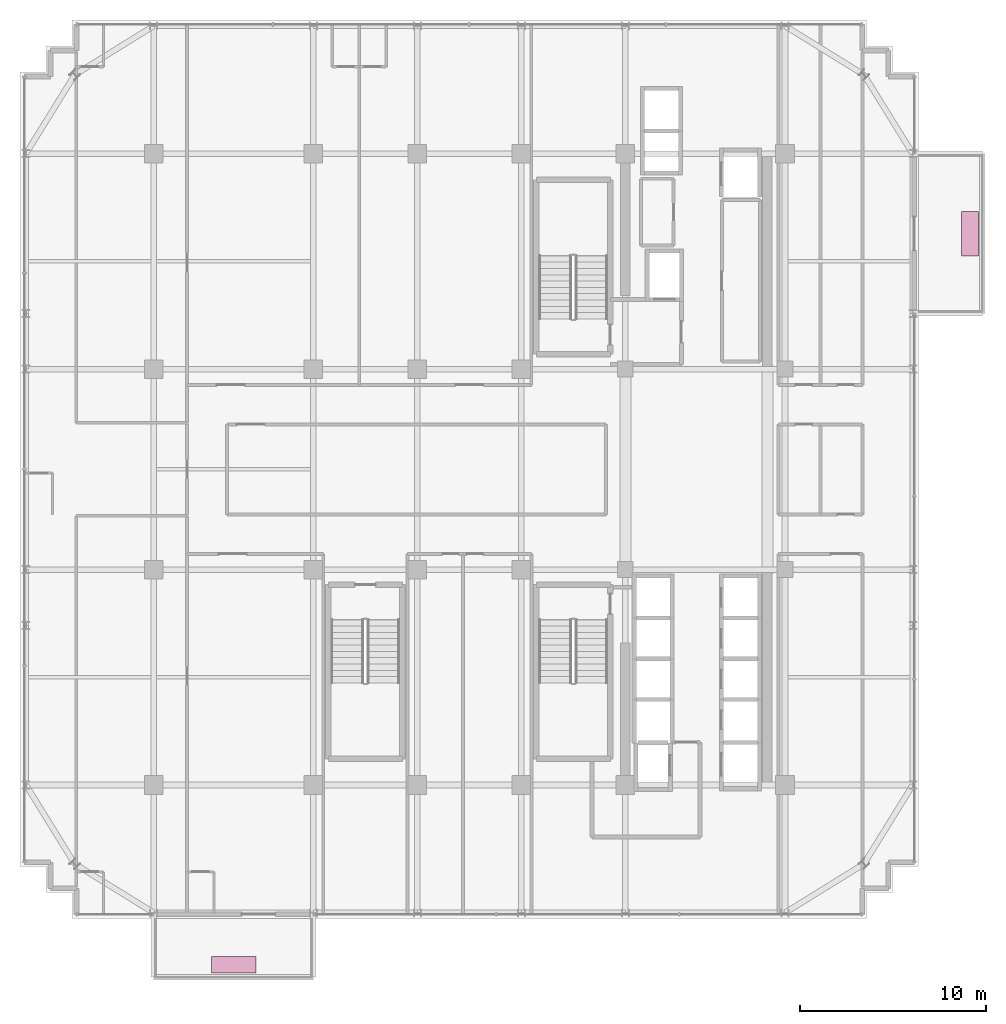
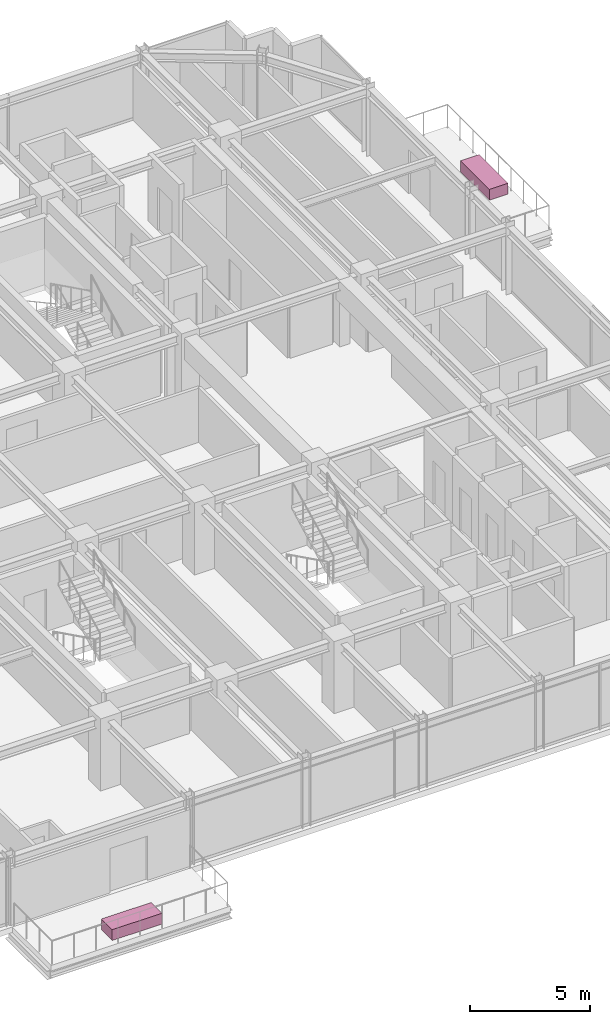
# One storey, part 34 of 34: 2 furnishings.
"""IFC4 building model written with IfcOpenShell, lengths in metres."""

from ifc_helpers import new_model, si_unit, direction, frame, origin, origin_2d, place, context, subcontext, project, spatial, rectangle, extrude, source, transform, mapped, material, type_object, element, save


model = new_model("IFC4")

# Units and contexts
model_context = context("Model", 3, precision=1e-05, world=origin(), true_north=direction((0.0, 1.0)))
body_context = subcontext(model_context, "Body", "Model", "MODEL_VIEW")
ifc_project = project(units=[si_unit("LENGTHUNIT", "METRE"), si_unit("AREAUNIT", "SQUARE_METRE"), si_unit("VOLUMEUNIT", "CUBIC_METRE"), si_unit("PLANEANGLEUNIT", "RADIAN"), si_unit("MASSUNIT", "GRAM", prefix="KILO")], contexts=[model_context])

# Site, building, storey
site_placement = place(None, origin())
site = spatial("IfcSite", under=ifc_project, at=site_placement, CompositionType="ELEMENT")
building_placement = place(site_placement, origin())
building = spatial("IfcBuilding", under=site, at=building_placement, Name="Nahalor Promenade Grand Hotel", CompositionType="ELEMENT")
storey_placement = place(building_placement, frame((0.0, 0.0, 238.199951171875)))
storey = spatial("IfcBuildingStorey", under=building, at=storey_placement, Name="L61", CompositionType="ELEMENT", Elevation=238.199951171875)

# Furnishings
ifc_material = material(Name="Vegetated Volcanic-Lapilli Tree Planter", Category="earth")
furnishing_element_type = type_object("IfcFurnishingElementType", Name="Planter-VerticalForest-Box", material=ifc_material)
shared_shape = source(origin(), body_context, "Body", "SweptSolid", [
    extrude(rectangle(XDim=2.39990234375, YDim=0.89990234375, at=origin_2d()), origin(), (0.0, 0.0, 1.0), 0.550048828125),
])
for number, where, z_axis, x_axis, name in (
    (1, (-12.699951171875, -26.679931640625, 0.0), (0.0, 0.0, 1.0), (1.0, 0.0, 0.0), "L61 Balcony Structural Tree Planter 1"),
    (2, (26.9599609375, 12.699951171875, 0.0), (0.0, 0.0, 1.0), (0.0, 1.0, 0.0), "L61 Balcony Structural Tree Planter 2"),
):
    element("IfcFurnishingElement", number, at=place(storey_placement, frame(where, z_axis=z_axis, x_axis=x_axis)), inside=storey, type_object=furnishing_element_type, Name=name, ObjectType="PLANTER", context=body_context, shape_type="MappedRepresentation", body=[
        mapped(shared_shape, transform((0.0, 0.0, 0.0), scale=1.0)),
    ])

save(model, "model.ifc")
